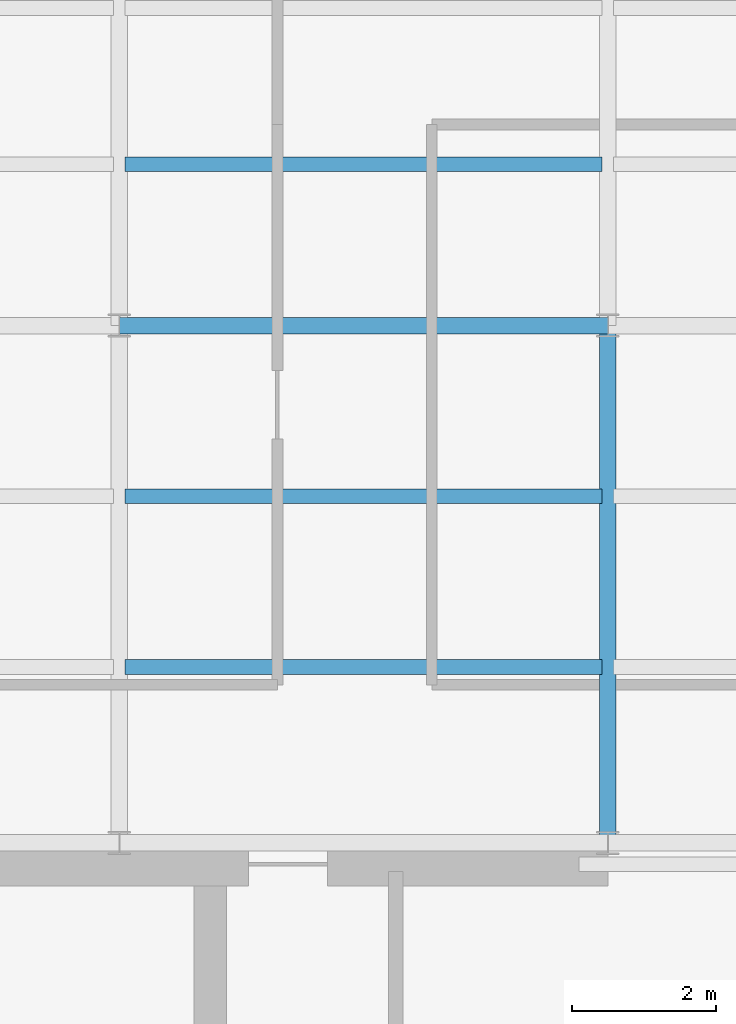
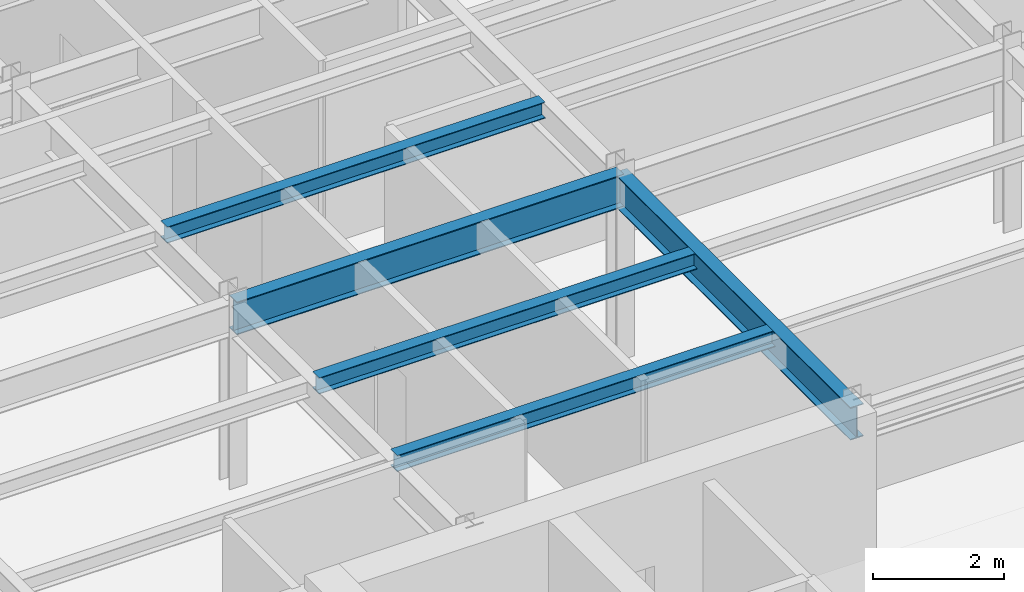
# One storey, part 6 of 22: 5 beams.
"""IFC4 building model written with IfcOpenShell, lengths in metres."""

from ifc_helpers import new_model, si_unit, derived_unit, direction, frame, origin, origin_2d, place, context, subcontext, project, spatial, i_section, extrude, source, transform, mapped, material, material_profile, profile_set, type_object, element, save


model = new_model("IFC4")

# Units and contexts
model_context = context("Model", 3, precision=1e-05, world=origin(), true_north=direction((0.0, 1.0)))
body_context = subcontext(model_context, "Body", "Model", "MODEL_VIEW")
ifc_project = project(units=[si_unit("LENGTHUNIT", "METRE"), si_unit("AREAUNIT", "SQUARE_METRE"), si_unit("VOLUMEUNIT", "CUBIC_METRE"), si_unit("PLANEANGLEUNIT", "RADIAN"), si_unit("MASSUNIT", "GRAM", prefix="KILO"), derived_unit("THERMALTRANSMITTANCEUNIT", [(si_unit("POWERUNIT", "WATT"), 1), (si_unit("LENGTHUNIT", "METRE"), -2), (si_unit("THERMODYNAMICTEMPERATUREUNIT", "KELVIN"), -1)])], contexts=[model_context])

# Site, building, storey
site_placement = place(None, origin())
site = spatial("IfcSite", under=ifc_project, at=site_placement, CompositionType="ELEMENT")
building_placement = place(site_placement, origin())
building = spatial("IfcBuilding", under=site, at=building_placement, Name="Skarnbrae Concourse Arena and Tower", CompositionType="ELEMENT")
storey_placement = place(building_placement, frame((0.0, 0.0, 266.10009765625)))
storey = spatial("IfcBuildingStorey", under=building, at=storey_placement, Name="L69", CompositionType="ELEMENT", Elevation=266.10009765625)

# Beams
ifc_material = material(Name="Steel CSA G40.21 350W", Category="steel")
ifc_material_profile_1 = material_profile(ifc_material, i_section(OverallWidth=0.22802734375, OverallDepth=0.60791015625, WebThickness=0.01123046875, FlangeThickness=0.017333984375, at=origin_2d()), Name="W610X113")
ifc_profile_set_1 = profile_set([ifc_material_profile_1], Name="Steel CSA G40.21 350W")
beam_type_1 = type_object("IfcBeamType", Name="BM-GIRD-W610X113", PredefinedType="BEAM", material=ifc_profile_set_1)
shared_shape_1 = source(origin(), body_context, "Body", "SweptSolid", [
    extrude(i_section(OverallWidth=0.22802734375, OverallDepth=0.60791015625, WebThickness=0.01123046875, FlangeThickness=0.017333984375, at=origin_2d()), origin(), (0.0, 0.0, 1.0), 6.7998046875),
])
beam_1_placement = place(storey_placement, frame((7.60009765625, 21.199951171875, 3.095947265625), z_axis=(1.0, 0.0, 0.0), x_axis=(0.0, 1.0, 0.0)))
element("IfcBeam", 1, at=beam_1_placement, inside=storey, type_object=beam_type_1, Name="L69 Primary E-W girder Y21.2-2", PredefinedType="BEAM", context=body_context, shape_type="MappedRepresentation", body=[
    mapped(shared_shape_1, transform((0.0, 0.0, 0.0))),
])
shared_shape_2 = source(origin(), body_context, "Body", "SweptSolid", [
    extrude(i_section(OverallWidth=0.22802734375, OverallDepth=0.60791015625, WebThickness=0.01123046875, FlangeThickness=0.017333984375, at=origin_2d()), origin(), (0.0, 0.0, 1.0), 7.199951171875),
])
beam_2_placement = place(storey_placement, frame((14.39990234375, 14.0, 3.095947265625), z_axis=(0.0, 1.0, 0.0), x_axis=(-1.0, 0.0, 0.0)))
element("IfcBeam", 2, at=beam_2_placement, inside=storey, type_object=beam_type_1, Name="L69 Primary N-S girder X14.4-1", PredefinedType="BEAM", context=body_context, shape_type="MappedRepresentation", body=[
    mapped(shared_shape_2, transform((0.0, 0.0, 0.0))),
])
ifc_material_profile_2 = material_profile(ifc_material, i_section(OverallWidth=0.202880859375, OverallDepth=0.302978515625, WebThickness=0.007568359375, FlangeThickness=0.01318359375, at=origin_2d()), Name="W310X60")
ifc_profile_set_2 = profile_set([ifc_material_profile_2], Name="Steel CSA G40.21 350W")
beam_type_2 = type_object("IfcBeamType", Name="BM-JOIST-W310X60", PredefinedType="JOIST", material=ifc_profile_set_2)
shared_shape_3 = source(origin(), body_context, "Body", "SweptSolid", [
    extrude(i_section(OverallWidth=0.202880859375, OverallDepth=0.302978515625, WebThickness=0.007568359375, FlangeThickness=0.01318359375, at=origin_2d()), origin(), (0.0, 0.0, 1.0), 6.64013671875),
])
for number, where, z_axis, x_axis, name in (
    (3, (7.679931640625, 16.447998046875, 3.248291015625), (1.0, 0.0, 0.0), (0.0, 1.0, 0.0), "L69 Secondary floor joist 1.1.2"),
    (4, (7.679931640625, 18.823974609375, 3.248291015625), (1.0, 0.0, 0.0), (0.0, 1.0, 0.0), "L69 Secondary floor joist 1.2.2"),
    (5, (7.679931640625, 23.444091796875, 3.248291015625), (1.0, 0.0, 0.0), (0.0, 1.0, 0.0), "L69 Secondary floor joist 2.1.2"),
):
    element("IfcBeam", number, at=place(storey_placement, frame(where, z_axis=z_axis, x_axis=x_axis)), inside=storey, type_object=beam_type_2, Name=name, PredefinedType="JOIST", context=body_context, shape_type="MappedRepresentation", body=[
        mapped(shared_shape_3, transform((0.0, 0.0, 0.0))),
    ])

save(model, "model.ifc")
